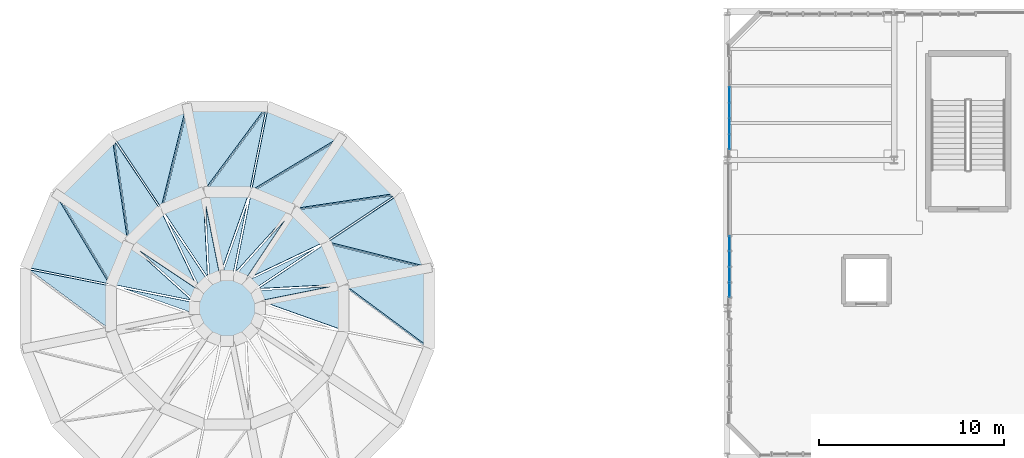
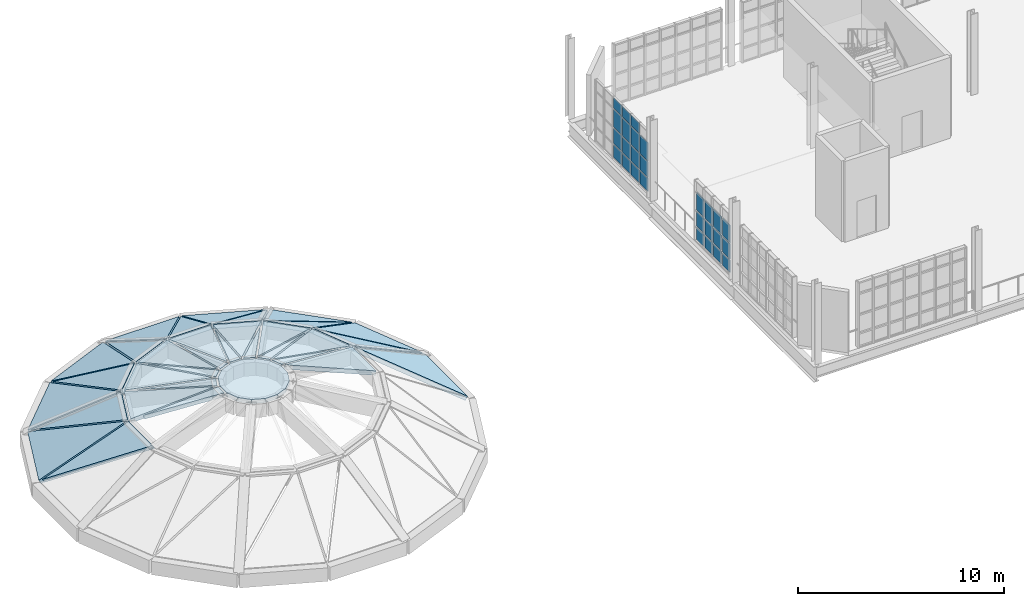
# One storey, part 71 of 85: 33 slabs, 27 plates, 2 elements without a shape of their own.
"""IFC4 building model written with IfcOpenShell, lengths in metres."""

from ifc_helpers import new_model, si_unit, direction, frame, origin, origin_2d, place, context, subcontext, project, spatial, polyline, rectangle, outline, extrude, material, layer, layer_set, type_object, element, aggregate, save


model = new_model("IFC4")

# Units and contexts
model_context = context("Model", 3, precision=1e-05, world=origin(), true_north=direction((0.0, 1.0)))
body_context = subcontext(model_context, "Body", "Model", "MODEL_VIEW")
ifc_project = project(units=[si_unit("LENGTHUNIT", "METRE"), si_unit("AREAUNIT", "SQUARE_METRE"), si_unit("VOLUMEUNIT", "CUBIC_METRE"), si_unit("PLANEANGLEUNIT", "RADIAN"), si_unit("MASSUNIT", "GRAM", prefix="KILO"), si_unit("THERMODYNAMICTEMPERATUREUNIT", "KELVIN"), si_unit("POWERUNIT", "WATT")], contexts=[model_context])

# Site, building, storey
site_placement = place(None, origin())
site = spatial("IfcSite", under=ifc_project, at=site_placement, CompositionType="ELEMENT")
building_placement = place(site_placement, origin())
building = spatial("IfcBuilding", under=site, at=building_placement, Name="Zelmaris Science Centre", CompositionType="ELEMENT")
storey_placement = place(building_placement, frame((0.0, 0.0, 20.39990234375)))
storey = spatial("IfcBuildingStorey", under=building, at=storey_placement, Name="L04", CompositionType="ELEMENT", Elevation=20.39990234375)

# Curtain wall, plates
ifc_material_1 = material(Name="Anodised architectural aluminium 6063-T6", Category="aluminium")
ifc_layer_1 = layer(ifc_material_1, 0.199951171875, Name="Anodised architectural aluminium 6063-T6")
ifc_layer_set_1 = layer_set([ifc_layer_1], Name="Anodised architectural aluminium 6063-T6")
curtain_wall_type_1 = type_object("IfcCurtainWallType", Name="Curtain Wall CW-02", PredefinedType="USERDEFINED", material=ifc_layer_set_1)
curtain_wall_1_placement = place(storey_placement, origin())
curtain_wall_1 = element("IfcCurtainWall", 1, at=curtain_wall_1_placement, inside=storey, type_object=curtain_wall_type_1, Name="L04 Unitised curtain wall 338", ObjectType="GLAZED CURTAIN WALL", PredefinedType="USERDEFINED")
ifc_material_2 = material(Name="Laminated hurricane-rated low-E insulated glazing", Category="glass")
ifc_layer_2 = layer(ifc_material_2, 0.028076171875, Name="Laminated hurricane-rated low-E insulated glazing")
ifc_layer_set_2 = layer_set([ifc_layer_2], Name="Laminated hurricane-rated low-E insulated glazing")
plate_type_1 = type_object("IfcPlateType", Name="Curtain Glazing Panel CWP-2 28mm", PredefinedType="CURTAIN_PANEL", material=ifc_layer_set_2)
plate_1_placement = place(storey_placement, frame((54.1201171875, 72.981689453125, 0.052001953125), z_axis=(0.0, 0.0, 1.0), x_axis=(0.0, 1.0, 0.0)))
plate_1 = element("IfcPlate", 2, at=plate_1_placement, type_object=plate_type_1, Name="CW-02 panel 1.1", PredefinedType="CURTAIN_PANEL", context=body_context, shape_type="SweptSolid", body=[
    extrude(rectangle(XDim=0.74951171875, YDim=0.028076171875, at=origin_2d()), origin(), (0.0, 0.0, 1.0), 0.74951171875),
])
plate_2_placement = place(storey_placement, frame((54.1201171875, 72.981689453125, 0.86865234375), z_axis=(0.0, 0.0, 1.0), x_axis=(0.0, 1.0, 0.0)))
plate_2 = element("IfcPlate", 3, at=plate_2_placement, type_object=plate_type_1, Name="CW-02 panel 1.2", PredefinedType="CURTAIN_PANEL", context=body_context, shape_type="SweptSolid", body=[
    extrude(rectangle(XDim=0.74951171875, YDim=0.028076171875, at=origin_2d()), origin(), (0.0, 0.0, 1.0), 0.89208984375),
])
plate_3_placement = place(storey_placement, frame((54.1201171875, 72.981689453125, 1.82763671875), z_axis=(0.0, 0.0, 1.0), x_axis=(0.0, 1.0, 0.0)))
plate_3 = element("IfcPlate", 4, at=plate_3_placement, type_object=plate_type_1, Name="CW-02 panel 1.3", PredefinedType="CURTAIN_PANEL", context=body_context, shape_type="SweptSolid", body=[
    extrude(rectangle(XDim=0.74951171875, YDim=0.028076171875, at=origin_2d()), origin(), (0.0, 0.0, 1.0), 1.0419921875),
])
plate_4_placement = place(storey_placement, frame((54.1201171875, 73.81494140625, 0.052001953125), z_axis=(0.0, 0.0, 1.0), x_axis=(0.0, 1.0, 0.0)))
plate_4 = element("IfcPlate", 5, at=plate_4_placement, type_object=plate_type_1, Name="CW-02 panel 2.1", PredefinedType="CURTAIN_PANEL", context=body_context, shape_type="SweptSolid", body=[
    extrude(rectangle(XDim=0.782958984375, YDim=0.028076171875, at=origin_2d()), origin(), (0.0, 0.0, 1.0), 0.74951171875),
])
plate_5_placement = place(storey_placement, frame((54.1201171875, 73.81494140625, 0.86865234375), z_axis=(0.0, 0.0, 1.0), x_axis=(0.0, 1.0, 0.0)))
plate_5 = element("IfcPlate", 6, at=plate_5_placement, type_object=plate_type_1, Name="CW-02 panel 2.2", PredefinedType="CURTAIN_PANEL", context=body_context, shape_type="SweptSolid", body=[
    extrude(rectangle(XDim=0.782958984375, YDim=0.028076171875, at=origin_2d()), origin(), (0.0, 0.0, 1.0), 0.89208984375),
])
plate_6_placement = place(storey_placement, frame((54.1201171875, 73.81494140625, 1.82763671875), z_axis=(0.0, 0.0, 1.0), x_axis=(0.0, 1.0, 0.0)))
plate_6 = element("IfcPlate", 7, at=plate_6_placement, type_object=plate_type_1, Name="CW-02 panel 2.3", PredefinedType="CURTAIN_PANEL", context=body_context, shape_type="SweptSolid", body=[
    extrude(rectangle(XDim=0.782958984375, YDim=0.028076171875, at=origin_2d()), origin(), (0.0, 0.0, 1.0), 1.0419921875),
])
plate_7_placement = place(storey_placement, frame((54.1201171875, 74.6650390625, 0.052001953125), z_axis=(0.0, 0.0, 1.0), x_axis=(0.0, 1.0, 0.0)))
plate_7 = element("IfcPlate", 8, at=plate_7_placement, type_object=plate_type_1, Name="CW-02 panel 3.1", PredefinedType="CURTAIN_PANEL", context=body_context, shape_type="SweptSolid", body=[
    extrude(rectangle(XDim=0.782958984375, YDim=0.028076171875, at=origin_2d()), origin(), (0.0, 0.0, 1.0), 0.74951171875),
])
plate_8_placement = place(storey_placement, frame((54.1201171875, 74.6650390625, 0.86865234375), z_axis=(0.0, 0.0, 1.0), x_axis=(0.0, 1.0, 0.0)))
plate_8 = element("IfcPlate", 9, at=plate_8_placement, type_object=plate_type_1, Name="CW-02 panel 3.2", PredefinedType="CURTAIN_PANEL", context=body_context, shape_type="SweptSolid", body=[
    extrude(rectangle(XDim=0.782958984375, YDim=0.028076171875, at=origin_2d()), origin(), (0.0, 0.0, 1.0), 0.89208984375),
])
plate_9_placement = place(storey_placement, frame((54.1201171875, 74.6650390625, 1.82763671875), z_axis=(0.0, 0.0, 1.0), x_axis=(0.0, 1.0, 0.0)))
plate_9 = element("IfcPlate", 10, at=plate_9_placement, type_object=plate_type_1, Name="CW-02 panel 3.3", PredefinedType="CURTAIN_PANEL", context=body_context, shape_type="SweptSolid", body=[
    extrude(rectangle(XDim=0.782958984375, YDim=0.028076171875, at=origin_2d()), origin(), (0.0, 0.0, 1.0), 1.0419921875),
])
plate_10_placement = place(storey_placement, frame((54.1201171875, 75.498291015625, 0.052001953125), z_axis=(0.0, 0.0, 1.0), x_axis=(0.0, 1.0, 0.0)))
plate_10 = element("IfcPlate", 11, at=plate_10_placement, type_object=plate_type_1, Name="CW-02 panel 4.1", PredefinedType="CURTAIN_PANEL", context=body_context, shape_type="SweptSolid", body=[
    extrude(rectangle(XDim=0.74951171875, YDim=0.028076171875, at=origin_2d()), origin(), (0.0, 0.0, 1.0), 0.74951171875),
])
plate_11_placement = place(storey_placement, frame((54.1201171875, 75.498291015625, 0.86865234375), z_axis=(0.0, 0.0, 1.0), x_axis=(0.0, 1.0, 0.0)))
plate_11 = element("IfcPlate", 12, at=plate_11_placement, type_object=plate_type_1, Name="CW-02 panel 4.2", PredefinedType="CURTAIN_PANEL", context=body_context, shape_type="SweptSolid", body=[
    extrude(rectangle(XDim=0.74951171875, YDim=0.028076171875, at=origin_2d()), origin(), (0.0, 0.0, 1.0), 0.89208984375),
])
plate_12_placement = place(storey_placement, frame((54.1201171875, 75.498291015625, 1.82763671875), z_axis=(0.0, 0.0, 1.0), x_axis=(0.0, 1.0, 0.0)))
plate_12 = element("IfcPlate", 13, at=plate_12_placement, type_object=plate_type_1, Name="CW-02 panel 4.3", PredefinedType="CURTAIN_PANEL", context=body_context, shape_type="SweptSolid", body=[
    extrude(rectangle(XDim=0.74951171875, YDim=0.028076171875, at=origin_2d()), origin(), (0.0, 0.0, 1.0), 1.0419921875),
])
aggregate(curtain_wall_1, [plate_1, plate_2, plate_3, plate_4, plate_5, plate_6, plate_7, plate_8, plate_9, plate_10, plate_11, plate_12])

ifc_layer_3 = layer(ifc_material_1, 0.219970703125, Name="Anodised architectural aluminium 6063-T6")
ifc_layer_set_3 = layer_set([ifc_layer_3], Name="Anodised architectural aluminium 6063-T6")
curtain_wall_type_2 = type_object("IfcCurtainWallType", Name="Curtain Wall CW-04", PredefinedType="USERDEFINED", material=ifc_layer_set_3)
curtain_wall_2_placement = place(storey_placement, origin())
curtain_wall_2 = element("IfcCurtainWall", 14, at=curtain_wall_2_placement, inside=storey, type_object=curtain_wall_type_2, Name="L04 Unitised curtain wall 340", ObjectType="GLAZED CURTAIN WALL", PredefinedType="USERDEFINED")
ifc_layer_4 = layer(ifc_material_2, 0.02392578125, Name="Laminated hurricane-rated low-E insulated glazing")
ifc_layer_set_4 = layer_set([ifc_layer_4], Name="Laminated hurricane-rated low-E insulated glazing")
plate_type_2 = type_object("IfcPlateType", Name="Curtain Glazing Panel CWP-4 24mm", PredefinedType="CURTAIN_PANEL", material=ifc_layer_set_4)
plate_13_placement = place(storey_placement, frame((54.1201171875, 80.979736328125, 0.037109375), z_axis=(0.0, 0.0, 1.0), x_axis=(0.0, 1.0, 0.0)))
plate_13 = element("IfcPlate", 15, at=plate_13_placement, type_object=plate_type_2, Name="CW-04 panel 1.1", PredefinedType="CURTAIN_PANEL", context=body_context, shape_type="SweptSolid", body=[
    extrude(rectangle(XDim=0.775390625, YDim=0.02392578125, at=origin_2d()), origin(), (0.0, 0.0, 1.0), 0.77197265625),
])
plate_14_placement = place(storey_placement, frame((54.1201171875, 80.979736328125, 0.861083984375), z_axis=(0.0, 0.0, 1.0), x_axis=(0.0, 1.0, 0.0)))
plate_14 = element("IfcPlate", 16, at=plate_14_placement, type_object=plate_type_2, Name="CW-04 panel 1.2", PredefinedType="CURTAIN_PANEL", context=body_context, shape_type="SweptSolid", body=[
    extrude(rectangle(XDim=0.775390625, YDim=0.02392578125, at=origin_2d()), origin(), (0.0, 0.0, 1.0), 0.9326171875),
])
plate_15_placement = place(storey_placement, frame((54.1201171875, 80.979736328125, 1.845703125), z_axis=(0.0, 0.0, 1.0), x_axis=(0.0, 1.0, 0.0)))
plate_15 = element("IfcPlate", 17, at=plate_15_placement, type_object=plate_type_2, Name="CW-04 panel 1.3", PredefinedType="CURTAIN_PANEL", context=body_context, shape_type="SweptSolid", body=[
    extrude(rectangle(XDim=0.775390625, YDim=0.02392578125, at=origin_2d()), origin(), (0.0, 0.0, 1.0), 1.08251953125),
])
plate_16_placement = place(storey_placement, frame((54.1201171875, 81.820068359375, 0.037109375), z_axis=(0.0, 0.0, 1.0), x_axis=(0.0, 1.0, 0.0)))
plate_16 = element("IfcPlate", 18, at=plate_16_placement, type_object=plate_type_2, Name="CW-04 panel 2.1", PredefinedType="CURTAIN_PANEL", context=body_context, shape_type="SweptSolid", body=[
    extrude(rectangle(XDim=0.80126953125, YDim=0.02392578125, at=origin_2d()), origin(), (0.0, 0.0, 1.0), 0.77197265625),
])
plate_17_placement = place(storey_placement, frame((54.1201171875, 81.820068359375, 0.861083984375), z_axis=(0.0, 0.0, 1.0), x_axis=(0.0, 1.0, 0.0)))
plate_17 = element("IfcPlate", 19, at=plate_17_placement, type_object=plate_type_2, Name="CW-04 panel 2.2", PredefinedType="CURTAIN_PANEL", context=body_context, shape_type="SweptSolid", body=[
    extrude(rectangle(XDim=0.80126953125, YDim=0.02392578125, at=origin_2d()), origin(), (0.0, 0.0, 1.0), 0.9326171875),
])
plate_18_placement = place(storey_placement, frame((54.1201171875, 81.820068359375, 1.845703125), z_axis=(0.0, 0.0, 1.0), x_axis=(0.0, 1.0, 0.0)))
plate_18 = element("IfcPlate", 20, at=plate_18_placement, type_object=plate_type_2, Name="CW-04 panel 2.3", PredefinedType="CURTAIN_PANEL", context=body_context, shape_type="SweptSolid", body=[
    extrude(rectangle(XDim=0.80126953125, YDim=0.02392578125, at=origin_2d()), origin(), (0.0, 0.0, 1.0), 1.08251953125),
])
plate_19_placement = place(storey_placement, frame((54.1201171875, 81.820068359375, 2.97998046875), z_axis=(0.0, 0.0, 1.0), x_axis=(0.0, 1.0, 0.0)))
plate_19 = element("IfcPlate", 21, at=plate_19_placement, type_object=plate_type_2, Name="CW-04 panel 2.4", PredefinedType="CURTAIN_PANEL", context=body_context, shape_type="SweptSolid", body=[
    extrude(rectangle(XDim=0.80126953125, YDim=0.02392578125, at=origin_2d()), origin(), (0.0, 0.0, 1.0), 0.6220703125),
])
plate_20_placement = place(storey_placement, frame((54.1201171875, 82.67333984375, 0.037109375), z_axis=(0.0, 0.0, 1.0), x_axis=(0.0, 1.0, 0.0)))
plate_20 = element("IfcPlate", 22, at=plate_20_placement, type_object=plate_type_2, Name="CW-04 panel 3.1", PredefinedType="CURTAIN_PANEL", context=body_context, shape_type="SweptSolid", body=[
    extrude(rectangle(XDim=0.80126953125, YDim=0.02392578125, at=origin_2d()), origin(), (0.0, 0.0, 1.0), 0.77197265625),
])
plate_21_placement = place(storey_placement, frame((54.1201171875, 82.67333984375, 0.861083984375), z_axis=(0.0, 0.0, 1.0), x_axis=(0.0, 1.0, 0.0)))
plate_21 = element("IfcPlate", 23, at=plate_21_placement, type_object=plate_type_2, Name="CW-04 panel 3.2", PredefinedType="CURTAIN_PANEL", context=body_context, shape_type="SweptSolid", body=[
    extrude(rectangle(XDim=0.80126953125, YDim=0.02392578125, at=origin_2d()), origin(), (0.0, 0.0, 1.0), 0.9326171875),
])
plate_22_placement = place(storey_placement, frame((54.1201171875, 82.67333984375, 1.845703125), z_axis=(0.0, 0.0, 1.0), x_axis=(0.0, 1.0, 0.0)))
plate_22 = element("IfcPlate", 24, at=plate_22_placement, type_object=plate_type_2, Name="CW-04 panel 3.3", PredefinedType="CURTAIN_PANEL", context=body_context, shape_type="SweptSolid", body=[
    extrude(rectangle(XDim=0.80126953125, YDim=0.02392578125, at=origin_2d()), origin(), (0.0, 0.0, 1.0), 1.08251953125),
])
plate_23_placement = place(storey_placement, frame((54.1201171875, 82.67333984375, 2.97998046875), z_axis=(0.0, 0.0, 1.0), x_axis=(0.0, 1.0, 0.0)))
plate_23 = element("IfcPlate", 25, at=plate_23_placement, type_object=plate_type_2, Name="CW-04 panel 3.4", PredefinedType="CURTAIN_PANEL", context=body_context, shape_type="SweptSolid", body=[
    extrude(rectangle(XDim=0.80126953125, YDim=0.02392578125, at=origin_2d()), origin(), (0.0, 0.0, 1.0), 0.6220703125),
])
plate_24_placement = place(storey_placement, frame((54.1201171875, 83.526611328125, 0.037109375), z_axis=(0.0, 0.0, 1.0), x_axis=(0.0, 1.0, 0.0)))
plate_24 = element("IfcPlate", 26, at=plate_24_placement, type_object=plate_type_2, Name="CW-04 panel 4.1", PredefinedType="CURTAIN_PANEL", context=body_context, shape_type="SweptSolid", body=[
    extrude(rectangle(XDim=0.80126953125, YDim=0.02392578125, at=origin_2d()), origin(), (0.0, 0.0, 1.0), 0.77197265625),
])
plate_25_placement = place(storey_placement, frame((54.1201171875, 83.526611328125, 0.861083984375), z_axis=(0.0, 0.0, 1.0), x_axis=(0.0, 1.0, 0.0)))
plate_25 = element("IfcPlate", 27, at=plate_25_placement, type_object=plate_type_2, Name="CW-04 panel 4.2", PredefinedType="CURTAIN_PANEL", context=body_context, shape_type="SweptSolid", body=[
    extrude(rectangle(XDim=0.80126953125, YDim=0.02392578125, at=origin_2d()), origin(), (0.0, 0.0, 1.0), 0.9326171875),
])
plate_26_placement = place(storey_placement, frame((54.1201171875, 83.526611328125, 1.845703125), z_axis=(0.0, 0.0, 1.0), x_axis=(0.0, 1.0, 0.0)))
plate_26 = element("IfcPlate", 28, at=plate_26_placement, type_object=plate_type_2, Name="CW-04 panel 4.3", PredefinedType="CURTAIN_PANEL", context=body_context, shape_type="SweptSolid", body=[
    extrude(rectangle(XDim=0.80126953125, YDim=0.02392578125, at=origin_2d()), origin(), (0.0, 0.0, 1.0), 1.08251953125),
])
plate_27_placement = place(storey_placement, frame((54.1201171875, 83.526611328125, 2.97998046875), z_axis=(0.0, 0.0, 1.0), x_axis=(0.0, 1.0, 0.0)))
plate_27 = element("IfcPlate", 29, at=plate_27_placement, type_object=plate_type_2, Name="CW-04 panel 4.4", PredefinedType="CURTAIN_PANEL", context=body_context, shape_type="SweptSolid", body=[
    extrude(rectangle(XDim=0.80126953125, YDim=0.02392578125, at=origin_2d()), origin(), (0.0, 0.0, 1.0), 0.6220703125),
])
aggregate(curtain_wall_2, [plate_13, plate_14, plate_15, plate_16, plate_17, plate_18, plate_19, plate_20, plate_21, plate_22, plate_23, plate_24, plate_25, plate_26, plate_27])

# Slabs
ifc_material_3 = material(Name="Concrete C40/50", Category="concrete")
ifc_layer_5 = layer(ifc_material_3, 0.25, Name="Concrete C40/50")
ifc_layer_set_5 = layer_set([ifc_layer_5], Name="Concrete C40/50")
slab_type = type_object("IfcSlabType", Name="Dome Shell SL-DM250 250mm", PredefinedType="ROOF", material=ifc_layer_set_5)
slab_1_placement = place(storey_placement, frame((37.79150390625, 74.240478515625, 0.033447265625), z_axis=(0.453884623662, 0.188011147382, 0.870999745616), x_axis=(-0.382693822845, 0.923875228565, 0.0)))
element("IfcSlab", 30, at=slab_1_placement, inside=storey, type_object=slab_type, Name="Dome shell facet B2-01A", PredefinedType="ROOF", context=body_context, shape_type="SweptSolid", body=[
    extrude(outline(polyline([(0.0, 0.0), (4.1607286587776215, 0.0), (3.2798363102396717, 5.0842393679520255), (0.0, 0.0)])), origin(), (0.0, 0.0, -1.0), 0.25),
])
slab_2_placement = place(storey_placement, frame((37.65478515625, 74.172119140625, 0.119384765625), z_axis=(0.453884762611, 0.187983301345, 0.871005683498), x_axis=(-0.883651524375, 0.220748143673, 0.412831976153)))
element("IfcSlab", 31, at=slab_2_placement, inside=storey, type_object=slab_type, Name="Dome shell facet B2-01B", PredefinedType="ROOF", context=body_context, shape_type="SweptSolid", body=[
    extrude(outline(polyline([(0.0, 0.0), (5.927994356942934, -3.3306690738754696e-16), (4.6538422686200125, 1.975212064826178), (0.0, 0.0)])), origin(), (0.0, 0.0, -1.0), 0.25),
])
slab_3_placement = place(storey_placement, frame((36.112548828125, 78.19970703125, 0.033447265625), z_axis=(0.347394808424, 0.347365981372, 0.871007303107), x_axis=(-0.707077441265, 0.707136119891, 0.0)))
element("IfcSlab", 32, at=slab_3_placement, inside=storey, type_object=slab_type, Name="Dome shell facet B2-02A", PredefinedType="ROOF", context=body_context, shape_type="SweptSolid", body=[
    extrude(outline(polyline([(0.0, 0.0), (4.160639782237949, 2.220446049250313e-16), (3.279507325528205, 5.084378036193674), (0.0, 0.0)])), origin(), (0.0, 0.0, -1.0), 0.25),
])
slab_4_placement = place(storey_placement, frame((36.0126953125, 78.084228515625, 0.119384765625), z_axis=(0.347399593931, 0.347348565789, 0.871012339741), x_axis=(-0.900863971191, -0.13421942407, 0.412830778423)))
element("IfcSlab", 33, at=slab_4_placement, inside=storey, type_object=slab_type, Name="Dome shell facet B2-02B", PredefinedType="ROOF", context=body_context, shape_type="SweptSolid", body=[
    extrude(outline(polyline([(0.0, 0.0), (5.92801155560927, 1.1102230246251565e-16), (4.653984404040669, 1.9751603602627208), (0.0, 0.0)])), origin(), (0.0, 0.0, -1.0), 0.25),
])
slab_5_placement = place(storey_placement, frame((33.04638671875, 81.215087890625, 0.033447265625), z_axis=(0.188008602277, 0.453878479431, 0.871003496766), x_axis=(-0.923875228565, 0.382693822845, 0.0)))
element("IfcSlab", 34, at=slab_5_placement, inside=storey, type_object=slab_type, Name="Dome shell facet B2-03A", PredefinedType="ROOF", context=body_context, shape_type="SweptSolid", body=[
    extrude(outline(polyline([(0.0, 0.0), (4.1607286587776215, 0.0), (3.2797859273493497, 5.0843081941739765), (0.0, 0.0)])), origin(), (0.0, 0.0, -1.0), 0.25),
])
slab_6_placement = place(storey_placement, frame((32.998046875, 81.070068359375, 0.119384765625), z_axis=(0.188005200843, 0.453886605943, 0.870999996212), x_axis=(-0.780909864035, -0.468768317728, 0.412839010447)))
element("IfcSlab", 35, at=slab_6_placement, inside=storey, type_object=slab_type, Name="Dome shell facet B2-03B", PredefinedType="ROOF", context=body_context, shape_type="SweptSolid", body=[
    extrude(outline(polyline([(0.0, 0.0), (5.927893350848097, 5.551115123125783e-16), (4.653852860560871, 1.9750156372280525), (0.0, 0.0)])), origin(), (0.0, 0.0, -1.0), 0.25),
])
slab_7_placement = place(storey_placement, frame((29.059814453125, 82.827392578125, 0.033447265625), z_axis=(0.0, 0.491275419168, 0.871004283871), x_axis=(-1.0, 0.0, 0.0)))
element("IfcSlab", 36, at=slab_7_placement, inside=storey, type_object=slab_type, Name="Dome shell facet B2-04A", PredefinedType="ROOF", context=body_context, shape_type="SweptSolid", body=[
    extrude(outline(polyline([(0.0, 0.0), (4.16064453125, 0.0), (3.280029296875, 5.084322636386832), (0.0, 0.0)])), origin(), (0.0, 0.0, -1.0), 0.25),
])
slab_8_placement = place(storey_placement, frame((29.070556640625, 82.675048828125, 0.119384765625), z_axis=(0.0, 0.491275427367, 0.871004279246), x_axis=(-0.542071842283, -0.731932896296, 0.4128345348)))
element("IfcSlab", 37, at=slab_8_placement, inside=storey, type_object=slab_type, Name="Dome shell facet B2-04B", PredefinedType="ROOF", context=body_context, shape_type="SweptSolid", body=[
    extrude(outline(polyline([(0.0, 0.0), (5.927957616684118, -1.1102230246251565e-16), (4.653903508857946, 1.9750677690825853), (0.0, 0.0)])), origin(), (0.0, 0.0, -1.0), 0.25),
])
slab_9_placement = place(storey_placement, frame((24.759521484375, 82.79150390625, 0.033447265625), z_axis=(-0.188011147382, 0.453884623662, 0.870999745616), x_axis=(-0.923875228565, -0.382693822845, 0.0)))
element("IfcSlab", 38, at=slab_9_placement, inside=storey, type_object=slab_type, Name="Dome shell facet B2-05A", PredefinedType="ROOF", context=body_context, shape_type="SweptSolid", body=[
    extrude(outline(polyline([(0.0, 0.0), (4.1607286587776215, 0.0), (3.2798363102396717, 5.0842393679520255), (0.0, 0.0)])), origin(), (0.0, 0.0, -1.0), 0.25),
])
slab_10_placement = place(storey_placement, frame((24.827880859375, 82.65478515625, 0.119384765625), z_axis=(-0.187983301345, 0.453884762611, 0.871005683498), x_axis=(-0.220748143673, -0.883651524375, 0.412831976153)))
element("IfcSlab", 39, at=slab_10_placement, inside=storey, type_object=slab_type, Name="Dome shell facet B2-05B", PredefinedType="ROOF", context=body_context, shape_type="SweptSolid", body=[
    extrude(outline(polyline([(0.0, 0.0), (5.927994356942934, -3.3306690738754696e-16), (4.6538422686200125, 1.975212064826178), (0.0, 0.0)])), origin(), (0.0, 0.0, -1.0), 0.25),
])
slab_11_placement = place(storey_placement, frame((20.80029296875, 81.112548828125, 0.033447265625), z_axis=(-0.347365981372, 0.347394808424, 0.871007303107), x_axis=(-0.707136119891, -0.707077441265, 0.0)))
element("IfcSlab", 40, at=slab_11_placement, inside=storey, type_object=slab_type, Name="Dome shell facet B2-06A", PredefinedType="ROOF", context=body_context, shape_type="SweptSolid", body=[
    extrude(outline(polyline([(0.0, 0.0), (4.160639782237949, 2.220446049250313e-16), (3.279507325528205, 5.084378036193674), (0.0, 0.0)])), origin(), (0.0, 0.0, -1.0), 0.25),
])
slab_12_placement = place(storey_placement, frame((20.915771484375, 81.0126953125, 0.119384765625), z_axis=(-0.347348565789, 0.347399593931, 0.871012339741), x_axis=(0.13421942407, -0.900863971191, 0.412830778423)))
element("IfcSlab", 41, at=slab_12_placement, inside=storey, type_object=slab_type, Name="Dome shell facet B2-06B", PredefinedType="ROOF", context=body_context, shape_type="SweptSolid", body=[
    extrude(outline(polyline([(0.0, 0.0), (5.92801155560927, 1.1102230246251565e-16), (4.653984404040669, 1.9751603602627208), (0.0, 0.0)])), origin(), (0.0, 0.0, -1.0), 0.25),
])
slab_13_placement = place(storey_placement, frame((17.784912109375, 78.04638671875, 0.033447265625), z_axis=(-0.453878479431, 0.188008602277, 0.871003496766), x_axis=(-0.382693822845, -0.923875228565, 0.0)))
element("IfcSlab", 42, at=slab_13_placement, inside=storey, type_object=slab_type, Name="Dome shell facet B2-07A", PredefinedType="ROOF", context=body_context, shape_type="SweptSolid", body=[
    extrude(outline(polyline([(0.0, 0.0), (4.1607286587776215, 0.0), (3.2797859273493497, 5.0843081941739765), (0.0, 0.0)])), origin(), (0.0, 0.0, -1.0), 0.25),
])
slab_14_placement = place(storey_placement, frame((17.929931640625, 77.998046875, 0.119384765625), z_axis=(-0.453886605943, 0.188005200843, 0.870999996212), x_axis=(0.468768317728, -0.780909864035, 0.412839010447)))
element("IfcSlab", 43, at=slab_14_placement, inside=storey, type_object=slab_type, Name="Dome shell facet B2-07B", PredefinedType="ROOF", context=body_context, shape_type="SweptSolid", body=[
    extrude(outline(polyline([(0.0, 0.0), (5.927893350848097, 5.551115123125783e-16), (4.653852860560871, 1.9750156372280525), (0.0, 0.0)])), origin(), (0.0, 0.0, -1.0), 0.25),
])
slab_15_placement = place(storey_placement, frame((16.324951171875, 74.070556640625, 0.119384765625), z_axis=(-0.491275427367, 0.0, 0.871004279246), x_axis=(0.731932896296, -0.542071842283, 0.4128345348)))
element("IfcSlab", 44, at=slab_15_placement, inside=storey, type_object=slab_type, Name="Dome shell facet B2-08B", PredefinedType="ROOF", context=body_context, shape_type="SweptSolid", body=[
    extrude(outline(polyline([(0.0, 0.0), (5.927957616684118, -1.1102230246251565e-16), (4.653903508857946, 1.9750677690825853), (0.0, 0.0)])), origin(), (0.0, 0.0, -1.0), 0.25),
])
slab_16_placement = place(storey_placement, frame((37.827392578125, 69.940185546875, 0.033447265625), z_axis=(0.491275419168, 0.0, 0.871004283871), x_axis=(0.0, 1.0, 0.0)))
element("IfcSlab", 45, at=slab_16_placement, inside=storey, type_object=slab_type, Name="Dome shell facet B2-16A", PredefinedType="ROOF", context=body_context, shape_type="SweptSolid", body=[
    extrude(outline(polyline([(0.0, 0.0), (4.16064453125, 0.0), (3.280029296875, 5.084322636386832), (0.0, 0.0)])), origin(), (0.0, 0.0, -1.0), 0.25),
])
slab_17_placement = place(storey_placement, frame((33.185546875, 73.2958984375, 2.61474609375), z_axis=(0.199947472894, 0.082822866258, 0.976299841703), x_axis=(-0.382690970072, 0.923876410255, 0.0)))
element("IfcSlab", 46, at=slab_17_placement, inside=storey, type_object=slab_type, Name="Dome shell facet B3-01A", PredefinedType="ROOF", context=body_context, shape_type="SweptSolid", body=[
    extrude(outline(polyline([(0.0, 0.0), (2.352149788655691, -1.1102230246251565e-16), (1.5067904270339434, 4.353241786643171), (0.0, 0.0)])), origin(), (0.0, 0.0, -1.0), 0.25),
])
slab_18_placement = place(storey_placement, frame((32.56298828125, 73.159423828125, 2.75390625), z_axis=(0.199924902488, 0.082864801212, 0.976300905503), x_axis=(-0.977549610978, -0.050792714095, 0.204491707099)))
element("IfcSlab", 47, at=slab_18_placement, inside=storey, type_object=slab_type, Name="Dome shell facet B3-01B", PredefinedType="ROOF", context=body_context, shape_type="SweptSolid", body=[
    extrude(outline(polyline([(0.0, 0.0), (4.066389686631358, 2.0816681711721685e-17), (3.8751827663416556, 0.5518755240155819), (0.0, 0.0)])), origin(), (0.0, 0.0, -1.0), 0.25),
])
slab_19_placement = place(storey_placement, frame((32.218994140625, 75.564208984375, 2.61474609375), z_axis=(0.153027946178, 0.153027946178, 0.976301641593), x_axis=(-0.707106781187, 0.707106781187, 0.0)))
element("IfcSlab", 48, at=slab_19_placement, inside=storey, type_object=slab_type, Name="Dome shell facet B3-02A", PredefinedType="ROOF", context=body_context, shape_type="SweptSolid", body=[
    extrude(outline(polyline([(0.0, 0.0), (2.3526492221704762, 0.0), (1.50709038080043, 4.353405115462899), (0.0, 0.0)])), origin(), (0.0, 0.0, -1.0), 0.25),
])
slab_20_placement = place(storey_placement, frame((31.69580078125, 75.2001953125, 2.75390625), z_axis=(0.153020625273, 0.153020625273, 0.976303936529), x_axis=(-0.883677079455, -0.421064503208, 0.204498174523)))
element("IfcSlab", 49, at=slab_20_placement, inside=storey, type_object=slab_type, Name="Dome shell facet B3-02B", PredefinedType="ROOF", context=body_context, shape_type="SweptSolid", body=[
    extrude(outline(polyline([(0.0, 0.0), (4.066261083703307, -4.787836793695988e-16), (3.875275276468513, 0.5517255838991257), (0.0, 0.0)])), origin(), (0.0, 0.0, -1.0), 0.25),
])
slab_21_placement = place(storey_placement, frame((30.45751953125, 77.2900390625, 2.61474609375), z_axis=(0.082816872284, 0.199955464354, 0.976298713479), x_axis=(-0.923891609046, 0.38265427573, 0.0)))
element("IfcSlab", 50, at=slab_21_placement, inside=storey, type_object=slab_type, Name="Dome shell facet B3-03A", PredefinedType="ROOF", context=body_context, shape_type="SweptSolid", body=[
    extrude(outline(polyline([(0.0, 0.0), (2.3523753462753234, -1.1102230246251565e-16), (1.5069815764027716, 4.3531394169034385), (0.0, 0.0)])), origin(), (0.0, 0.0, -1.0), 0.25),
])
slab_22_placement = place(storey_placement, frame((30.11376953125, 76.75341796875, 2.75390625), z_axis=(0.082788989086, 0.199960290579, 0.976300089869), x_axis=(-0.655294541895, -0.727164394071, 0.204501851722)))
element("IfcSlab", 51, at=slab_22_placement, inside=storey, type_object=slab_type, Name="Dome shell facet B3-03B", PredefinedType="ROOF", context=body_context, shape_type="SweptSolid", body=[
    extrude(outline(polyline([(0.0, 0.0), (4.066187967237092, -2.0816681711721685e-16), (3.875063573435053, 0.5518052286480843), (0.0, 0.0)])), origin(), (0.0, 0.0, -1.0), 0.25),
])
slab_23_placement = place(storey_placement, frame((28.169921875, 78.210693359375, 2.61474609375), z_axis=(0.0, 0.216413829031, 0.976301723139), x_axis=(-1.0, 0.0, 0.0)))
element("IfcSlab", 52, at=slab_23_placement, inside=storey, type_object=slab_type, Name="Dome shell facet B3-04A", PredefinedType="ROOF", context=body_context, shape_type="SweptSolid", body=[
    extrude(outline(polyline([(0.0, 0.0), (2.352294921875, 0.0), (1.5068359375, 4.35341251571219), (0.0, 0.0)])), origin(), (0.0, 0.0, -1.0), 0.25),
])
slab_24_placement = place(storey_placement, frame((28.0576171875, 77.583251953125, 2.75390625), z_axis=(0.0, 0.21640568884, 0.976303527515), x_axis=(-0.327158776371, -0.922576942138, 0.204496750288)))
element("IfcSlab", 53, at=slab_24_placement, inside=storey, type_object=slab_type, Name="Dome shell facet B3-04B", PredefinedType="ROOF", context=body_context, shape_type="SweptSolid", body=[
    extrude(outline(polyline([(0.0, 0.0), (4.066289403521029, -8.326672684688674e-17), (3.8752337899764333, 0.5518473545983875), (0.0, 0.0)])), origin(), (0.0, 0.0, -1.0), 0.25),
])
slab_25_placement = place(storey_placement, frame((25.7041015625, 78.185546875, 2.61474609375), z_axis=(-0.082822866258, 0.199947472894, 0.976299841703), x_axis=(-0.923876410255, -0.382690970072, 0.0)))
element("IfcSlab", 54, at=slab_25_placement, inside=storey, type_object=slab_type, Name="Dome shell facet B3-05A", PredefinedType="ROOF", context=body_context, shape_type="SweptSolid", body=[
    extrude(outline(polyline([(0.0, 0.0), (2.352149788655691, -1.1102230246251565e-16), (1.5067904270339434, 4.353241786643171), (0.0, 0.0)])), origin(), (0.0, 0.0, -1.0), 0.25),
])
slab_26_placement = place(storey_placement, frame((25.840576171875, 77.56298828125, 2.75390625), z_axis=(-0.082864801212, 0.199924902488, 0.976300905503), x_axis=(0.050792714095, -0.977549610978, 0.204491707099)))
element("IfcSlab", 55, at=slab_26_placement, inside=storey, type_object=slab_type, Name="Dome shell facet B3-05B", PredefinedType="ROOF", context=body_context, shape_type="SweptSolid", body=[
    extrude(outline(polyline([(0.0, 0.0), (4.066389686631358, 2.0816681711721685e-17), (3.8751827663416556, 0.5518755240155819), (0.0, 0.0)])), origin(), (0.0, 0.0, -1.0), 0.25),
])
slab_27_placement = place(storey_placement, frame((23.435791015625, 77.218994140625, 2.61474609375), z_axis=(-0.153027946178, 0.153027946178, 0.976301641593), x_axis=(-0.707106781187, -0.707106781187, 0.0)))
element("IfcSlab", 56, at=slab_27_placement, inside=storey, type_object=slab_type, Name="Dome shell facet B3-06A", PredefinedType="ROOF", context=body_context, shape_type="SweptSolid", body=[
    extrude(outline(polyline([(0.0, 0.0), (2.3526492221704762, 0.0), (1.50709038080043, 4.353405115462899), (0.0, 0.0)])), origin(), (0.0, 0.0, -1.0), 0.25),
])
slab_28_placement = place(storey_placement, frame((23.7998046875, 76.69580078125, 2.75390625), z_axis=(-0.153020625273, 0.153020625273, 0.976303936529), x_axis=(0.421064503208, -0.883677079455, 0.204498174523)))
element("IfcSlab", 57, at=slab_28_placement, inside=storey, type_object=slab_type, Name="Dome shell facet B3-06B", PredefinedType="ROOF", context=body_context, shape_type="SweptSolid", body=[
    extrude(outline(polyline([(0.0, 0.0), (4.066261083703307, -4.787836793695988e-16), (3.875275276468513, 0.5517255838991257), (0.0, 0.0)])), origin(), (0.0, 0.0, -1.0), 0.25),
])
slab_29_placement = place(storey_placement, frame((21.7099609375, 75.45751953125, 2.61474609375), z_axis=(-0.199955464354, 0.082816872284, 0.976298713479), x_axis=(-0.38265427573, -0.923891609046, 0.0)))
element("IfcSlab", 58, at=slab_29_placement, inside=storey, type_object=slab_type, Name="Dome shell facet B3-07A", PredefinedType="ROOF", context=body_context, shape_type="SweptSolid", body=[
    extrude(outline(polyline([(0.0, 0.0), (2.3523753462753234, -1.1102230246251565e-16), (1.5069815764027716, 4.3531394169034385), (0.0, 0.0)])), origin(), (0.0, 0.0, -1.0), 0.25),
])
slab_30_placement = place(storey_placement, frame((22.24658203125, 75.11376953125, 2.75390625), z_axis=(-0.199960290579, 0.082788989086, 0.976300089869), x_axis=(0.727164394071, -0.655294541895, 0.204501851722)))
element("IfcSlab", 59, at=slab_30_placement, inside=storey, type_object=slab_type, Name="Dome shell facet B3-07B", PredefinedType="ROOF", context=body_context, shape_type="SweptSolid", body=[
    extrude(outline(polyline([(0.0, 0.0), (4.066187967237092, -2.0816681711721685e-16), (3.875063573435053, 0.5518052286480843), (0.0, 0.0)])), origin(), (0.0, 0.0, -1.0), 0.25),
])
slab_31_placement = place(storey_placement, frame((21.416748046875, 73.0576171875, 2.75390625), z_axis=(-0.21640568884, 0.0, 0.976303527515), x_axis=(0.922576942138, -0.327158776371, 0.204496750288)))
element("IfcSlab", 60, at=slab_31_placement, inside=storey, type_object=slab_type, Name="Dome shell facet B3-08B", PredefinedType="ROOF", context=body_context, shape_type="SweptSolid", body=[
    extrude(outline(polyline([(0.0, 0.0), (4.066289403521029, -8.326672684688674e-17), (3.8752337899764333, 0.5518473545983875), (0.0, 0.0)])), origin(), (0.0, 0.0, -1.0), 0.25),
])
slab_32_placement = place(storey_placement, frame((33.210693359375, 70.830078125, 2.61474609375), z_axis=(0.216413829031, 0.0, 0.976301723139), x_axis=(0.0, 1.0, 0.0)))
element("IfcSlab", 61, at=slab_32_placement, inside=storey, type_object=slab_type, Name="Dome shell facet B3-16A", PredefinedType="ROOF", context=body_context, shape_type="SweptSolid", body=[
    extrude(outline(polyline([(0.0, 0.0), (2.352294921875, 0.0), (1.5068359375, 4.35341251571219), (0.0, 0.0)])), origin(), (0.0, 0.0, -1.0), 0.25),
])
slab_33_placement = place(storey_placement, frame((0.0, 0.0, 3.35009765625)))
element("IfcSlab", 62, at=slab_33_placement, inside=storey, type_object=slab_type, Name="Dome shell crown cap D1", PredefinedType="ROOF", context=body_context, shape_type="SweptSolid", body=[
    extrude(outline(polyline([(28.70654296875, 72.339599609375), (28.44677734375, 72.966796875), (27.966796875, 73.44677734375), (27.339599609375, 73.70654296875), (26.660400390625, 73.70654296875), (26.033203125, 73.44677734375), (25.55322265625, 72.966796875), (25.29345703125, 72.339599609375), (25.29345703125, 71.660400390625), (25.55322265625, 71.033203125), (26.033203125, 70.55322265625), (26.660400390625, 70.29345703125), (27.339599609375, 70.29345703125), (27.966796875, 70.55322265625), (28.44677734375, 71.033203125), (28.70654296875, 71.660400390625), (28.70654296875, 72.339599609375)])), origin(), (0.0, 0.0, 1.0), 0.25),
])

save(model, "model.ifc")
